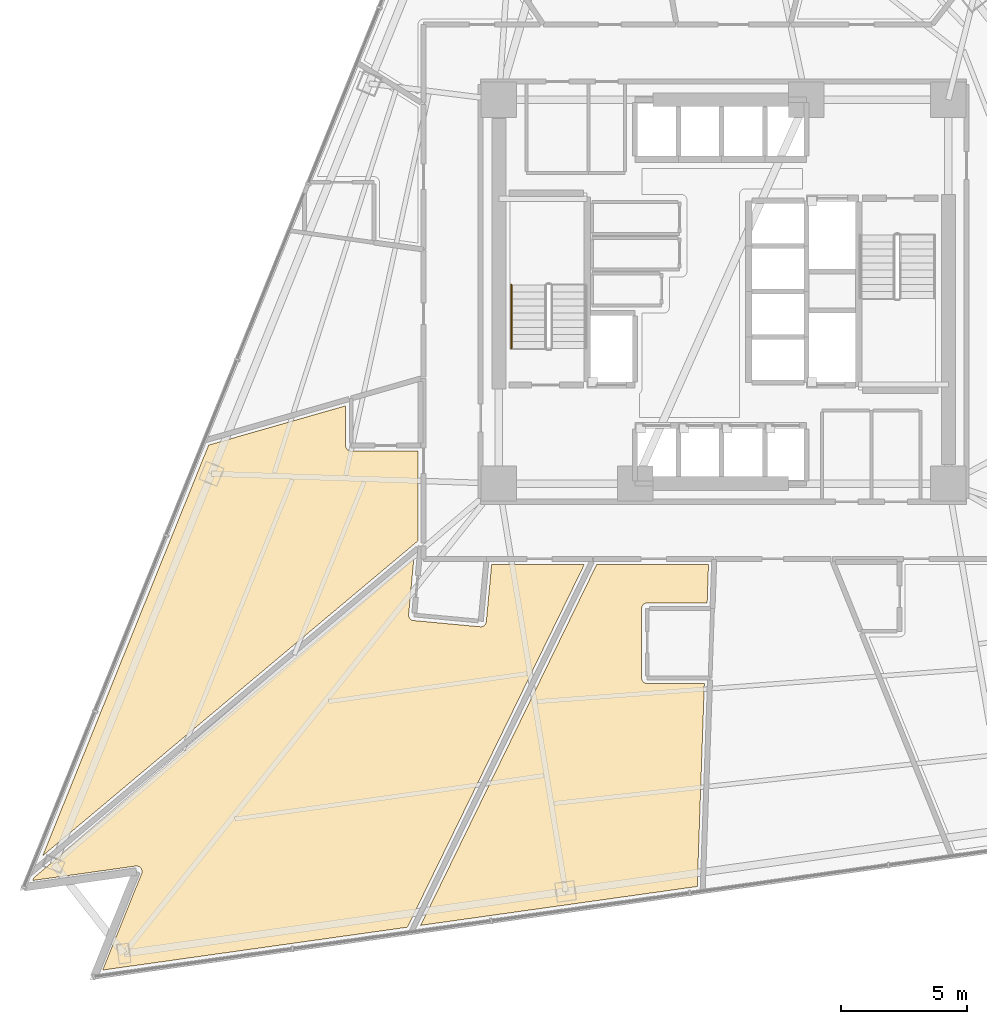
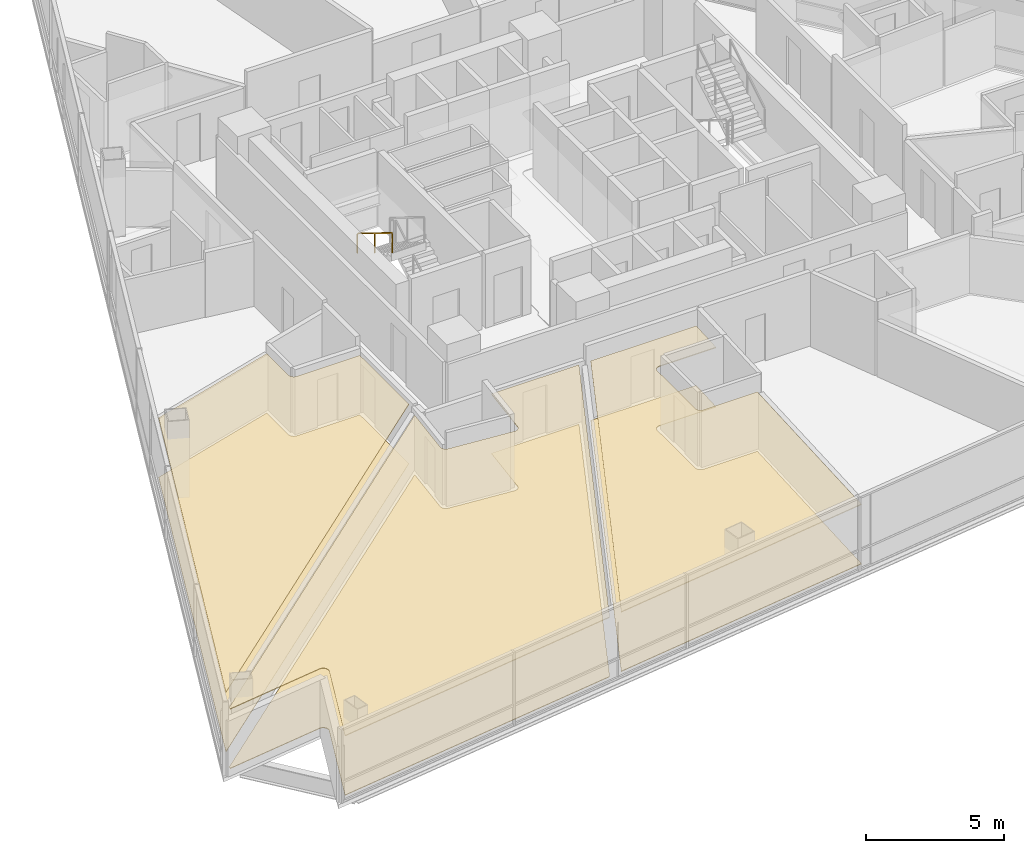
# One storey, part 12 of 16: 6 coverings, 1 railing.
"""IFC4 building model written with IfcOpenShell, lengths in metres."""

from ifc_helpers import new_model, si_unit, direction, frame, origin, origin_2d, place, context, subcontext, project, spatial, polyline, rectangle, outline, extrude, material, layer, layer_set, type_object, element, save


model = new_model("IFC4")

# Units and contexts
model_context = context("Model", 3, precision=1e-05, world=origin(), true_north=direction((0.0, 1.0)))
body_context = subcontext(model_context, "Body", "Model", "MODEL_VIEW")
ifc_project = project(units=[si_unit("LENGTHUNIT", "METRE"), si_unit("AREAUNIT", "SQUARE_METRE"), si_unit("VOLUMEUNIT", "CUBIC_METRE"), si_unit("PLANEANGLEUNIT", "RADIAN"), si_unit("MASSUNIT", "GRAM", prefix="KILO")], contexts=[model_context])

# Site, building, storey
site_placement = place(None, origin())
site = spatial("IfcSite", under=ifc_project, at=site_placement, CompositionType="ELEMENT")
building_placement = place(site_placement, origin())
building = spatial("IfcBuilding", under=site, at=building_placement, Name="Tharavind Bronze Gate", CompositionType="ELEMENT")
storey_placement = place(building_placement, frame((0.0, 0.0, 70.75)))
storey = spatial("IfcBuildingStorey", under=building, at=storey_placement, Name="L17", CompositionType="ELEMENT", Elevation=70.75)

# Coverings
ifc_material_1 = material(Name="Engineered Oak & Carpet Tile", Category="wood")
ifc_layer_1 = layer(ifc_material_1, 0.02490234375)
ifc_layer_set_1 = layer_set([ifc_layer_1], Name="Engineered Oak & Carpet Tile")
covering_type_1 = type_object("IfcCoveringType", Name="ENGINEERED TIMBER FLOORING", PredefinedType="FLOORING", material=ifc_layer_set_1)
covering_1_placement = place(storey_placement, origin())
element("IfcCovering", 1, at=covering_1_placement, inside=storey, type_object=covering_type_1, Name="L17-RM-08 floor finish", PredefinedType="FLOORING", context=body_context, shape_type="SweptSolid", body=[
    extrude(outline(polyline([(-12.10009765625, -9.865966796875), (-12.10009765625, -6.310791015625), (-14.75, -6.310791015625), (-14.771484375, -6.309814453125), (-14.79296875, -6.306640625), (-14.81396484375, -6.301513671875), (-14.834228515625, -6.294189453125), (-14.853759765625, -6.284912109375), (-14.872314453125, -6.27392578125), (-14.8896484375, -6.260986328125), (-14.905517578125, -6.24658203125), (-14.920166015625, -6.23046875), (-14.932861328125, -6.213134765625), (-14.944091796875, -6.194580078125), (-14.953369140625, -6.175048828125), (-14.96044921875, -6.15478515625), (-14.9658203125, -6.1337890625), (-14.968994140625, -6.112548828125), (-14.969970703125, -6.0908203125), (-14.969970703125, -4.521484375), (-20.39306640625, -6.076416015625), (-26.962890625, -22.33740234375), (-12.10009765625, -9.865966796875)])), origin(), (0.0, 0.0, 1.0), 0.02490234375),
])
covering_2_placement = place(storey_placement, origin())
element("IfcCovering", 2, at=covering_2_placement, inside=storey, type_object=covering_type_1, Name="L17-RM-09 floor finish", PredefinedType="FLOORING", context=body_context, shape_type="SweptSolid", body=[
    extrude(outline(polyline([(-23.281982421875, -22.747802734375), (-23.271240234375, -22.74658203125), (-23.270751953125, -22.74658203125), (-23.248779296875, -22.74560546875), (-23.226806640625, -22.7470703125), (-23.205078125, -22.75048828125), (-23.18408203125, -22.756103515625), (-23.16357421875, -22.763916015625), (-23.143798828125, -22.7734375), (-23.125244140625, -22.78515625), (-23.10791015625, -22.798583984375), (-23.091796875, -22.813720703125), (-23.07763671875, -22.830078125), (-23.06494140625, -22.84814453125), (-23.05419921875, -22.8671875), (-23.04541015625, -22.88720703125), (-23.03857421875, -22.908203125), (-23.033935546875, -22.9296875), (-23.031494140625, -22.951416015625), (-23.031005859375, -22.973388671875), (-23.032958984375, -22.9951171875), (-23.037109375, -23.0166015625), (-23.043212890625, -23.037841796875), (-23.043212890625, -23.038330078125), (-23.047119140625, -23.048583984375), (-24.58984375, -26.866943359375), (-12.521484375, -25.1708984375), (-5.51220703125, -10.800048828125), (-9.185546875, -10.800048828125), (-9.39697265625, -13.0732421875), (-9.400146484375, -13.094482421875), (-9.4052734375, -13.115478515625), (-9.412353515625, -13.135986328125), (-9.42138671875, -13.155517578125), (-9.4326171875, -13.174072265625), (-9.4453125, -13.19140625), (-9.459716796875, -13.20751953125), (-9.4755859375, -13.22216796875), (-9.492919921875, -13.235107421875), (-9.51123046875, -13.246337890625), (-9.53076171875, -13.255615234375), (-9.551025390625, -13.262939453125), (-9.572021484375, -13.268310546875), (-9.593505859375, -13.271484375), (-9.614990234375, -13.272705078125), (-9.636474609375, -13.27197265625), (-12.275146484375, -13.0263671875), (-12.29638671875, -13.0234375), (-12.3173828125, -13.018310546875), (-12.337890625, -13.010986328125), (-12.357421875, -13.001953125), (-12.3759765625, -12.990966796875), (-12.393310546875, -12.978271484375), (-12.409423828125, -12.9638671875), (-12.424072265625, -12.947998046875), (-12.43701171875, -12.9306640625), (-12.4482421875, -12.912109375), (-12.45751953125, -12.892578125), (-12.46484375, -12.872314453125), (-12.47021484375, -12.8515625), (-12.473388671875, -12.830078125), (-12.474609375, -12.80859375), (-12.473876953125, -12.787109375), (-12.2685546875, -10.581787109375), (-27.314208984375, -23.206298828125), (-27.3603515625, -23.321044921875), (-23.281982421875, -22.747802734375)])), origin(), (0.0, 0.0, 1.0), 0.02490234375),
])
covering_3_placement = place(storey_placement, origin())
element("IfcCovering", 3, at=covering_3_placement, inside=storey, type_object=covering_type_1, Name="L17-RM-10 floor finish", PredefinedType="FLOORING", context=body_context, shape_type="SweptSolid", body=[
    extrude(outline(polyline([(-1.042724609375, -23.5576171875), (-0.76220703125, -15.52001953125), (-3.023681640625, -15.52001953125), (-3.045166015625, -15.518798828125), (-3.066650390625, -15.515869140625), (-3.08740234375, -15.510498046875), (-3.10791015625, -15.50341796875), (-3.12744140625, -15.493896484375), (-3.14599609375, -15.48291015625), (-3.1630859375, -15.47021484375), (-3.17919921875, -15.45556640625), (-3.193603515625, -15.439697265625), (-3.20654296875, -15.422119140625), (-3.2177734375, -15.40380859375), (-3.226806640625, -15.38427734375), (-3.234130859375, -15.364013671875), (-3.239501953125, -15.343017578125), (-3.24267578125, -15.321533203125), (-3.24365234375, -15.300048828125), (-3.24365234375, -12.550048828125), (-3.24267578125, -12.5283203125), (-3.239501953125, -12.507080078125), (-3.234130859375, -12.486083984375), (-3.226806640625, -12.4658203125), (-3.2177734375, -12.4462890625), (-3.20654296875, -12.427734375), (-3.193603515625, -12.410400390625), (-3.17919921875, -12.394287109375), (-3.1630859375, -12.3798828125), (-3.14599609375, -12.3671875), (-3.12744140625, -12.35595703125), (-3.10791015625, -12.3466796875), (-3.08740234375, -12.339599609375), (-3.066650390625, -12.334228515625), (-3.045166015625, -12.3310546875), (-3.023681640625, -12.330078125), (-0.650634765625, -12.330078125), (-0.597412109375, -10.800048828125), (-5.022705078125, -10.800048828125), (-11.995849609375, -25.096923828125), (-1.042724609375, -23.5576171875)])), origin(), (0.0, 0.0, 1.0), 0.02490234375),
])
ifc_material_2 = material(Name="Acoustic Gypsum Board", Category="gypsum")
ifc_layer_2 = layer(ifc_material_2, 0.030029296875)
ifc_layer_set_2 = layer_set([ifc_layer_2], Name="Acoustic Gypsum Board")
covering_type_2 = type_object("IfcCoveringType", Name="GYPSUM SUSPENDED CEILING", PredefinedType="CEILING", material=ifc_layer_set_2)
covering_4_placement = place(storey_placement, frame((0.0, 0.0, 2.625)))
element("IfcCovering", 4, at=covering_4_placement, inside=storey, type_object=covering_type_2, Name="L17-RM-08 suspended ceiling", PredefinedType="CEILING", context=body_context, shape_type="SweptSolid", body=[
    extrude(outline(polyline([(-12.10009765625, -9.865966796875), (-12.10009765625, -6.310791015625), (-14.75, -6.310791015625), (-14.771484375, -6.309814453125), (-14.79296875, -6.306640625), (-14.81396484375, -6.301513671875), (-14.834228515625, -6.294189453125), (-14.853759765625, -6.284912109375), (-14.872314453125, -6.27392578125), (-14.8896484375, -6.260986328125), (-14.905517578125, -6.24658203125), (-14.920166015625, -6.23046875), (-14.932861328125, -6.213134765625), (-14.944091796875, -6.194580078125), (-14.953369140625, -6.175048828125), (-14.96044921875, -6.15478515625), (-14.9658203125, -6.1337890625), (-14.968994140625, -6.112548828125), (-14.969970703125, -6.0908203125), (-14.969970703125, -4.521484375), (-20.39306640625, -6.076416015625), (-26.962890625, -22.33740234375), (-12.10009765625, -9.865966796875)])), origin(), (0.0, 0.0, 1.0), 0.034912109375),
])
covering_5_placement = place(storey_placement, frame((0.0, 0.0, 2.625)))
element("IfcCovering", 5, at=covering_5_placement, inside=storey, type_object=covering_type_2, Name="L17-RM-09 suspended ceiling", PredefinedType="CEILING", context=body_context, shape_type="SweptSolid", body=[
    extrude(outline(polyline([(-23.281982421875, -22.747802734375), (-23.271240234375, -22.74658203125), (-23.270751953125, -22.74658203125), (-23.248779296875, -22.74560546875), (-23.226806640625, -22.7470703125), (-23.205078125, -22.75048828125), (-23.18408203125, -22.756103515625), (-23.16357421875, -22.763916015625), (-23.143798828125, -22.7734375), (-23.125244140625, -22.78515625), (-23.10791015625, -22.798583984375), (-23.091796875, -22.813720703125), (-23.07763671875, -22.830078125), (-23.06494140625, -22.84814453125), (-23.05419921875, -22.8671875), (-23.04541015625, -22.88720703125), (-23.03857421875, -22.908203125), (-23.033935546875, -22.9296875), (-23.031494140625, -22.951416015625), (-23.031005859375, -22.973388671875), (-23.032958984375, -22.9951171875), (-23.037109375, -23.0166015625), (-23.043212890625, -23.037841796875), (-23.043212890625, -23.038330078125), (-23.047119140625, -23.048583984375), (-24.58984375, -26.866943359375), (-12.521484375, -25.1708984375), (-5.51220703125, -10.800048828125), (-9.185546875, -10.800048828125), (-9.39697265625, -13.0732421875), (-9.400146484375, -13.094482421875), (-9.4052734375, -13.115478515625), (-9.412353515625, -13.135986328125), (-9.42138671875, -13.155517578125), (-9.4326171875, -13.174072265625), (-9.4453125, -13.19140625), (-9.459716796875, -13.20751953125), (-9.4755859375, -13.22216796875), (-9.492919921875, -13.235107421875), (-9.51123046875, -13.246337890625), (-9.53076171875, -13.255615234375), (-9.551025390625, -13.262939453125), (-9.572021484375, -13.268310546875), (-9.593505859375, -13.271484375), (-9.614990234375, -13.272705078125), (-9.636474609375, -13.27197265625), (-12.275146484375, -13.0263671875), (-12.29638671875, -13.0234375), (-12.3173828125, -13.018310546875), (-12.337890625, -13.010986328125), (-12.357421875, -13.001953125), (-12.3759765625, -12.990966796875), (-12.393310546875, -12.978271484375), (-12.409423828125, -12.9638671875), (-12.424072265625, -12.947998046875), (-12.43701171875, -12.9306640625), (-12.4482421875, -12.912109375), (-12.45751953125, -12.892578125), (-12.46484375, -12.872314453125), (-12.47021484375, -12.8515625), (-12.473388671875, -12.830078125), (-12.474609375, -12.80859375), (-12.473876953125, -12.787109375), (-12.2685546875, -10.581787109375), (-27.314208984375, -23.206298828125), (-27.3603515625, -23.321044921875), (-23.281982421875, -22.747802734375)])), origin(), (0.0, 0.0, 1.0), 0.034912109375),
])
covering_6_placement = place(storey_placement, frame((0.0, 0.0, 2.625)))
element("IfcCovering", 6, at=covering_6_placement, inside=storey, type_object=covering_type_2, Name="L17-RM-10 suspended ceiling", PredefinedType="CEILING", context=body_context, shape_type="SweptSolid", body=[
    extrude(outline(polyline([(-1.042724609375, -23.5576171875), (-0.76220703125, -15.52001953125), (-3.023681640625, -15.52001953125), (-3.045166015625, -15.518798828125), (-3.066650390625, -15.515869140625), (-3.08740234375, -15.510498046875), (-3.10791015625, -15.50341796875), (-3.12744140625, -15.493896484375), (-3.14599609375, -15.48291015625), (-3.1630859375, -15.47021484375), (-3.17919921875, -15.45556640625), (-3.193603515625, -15.439697265625), (-3.20654296875, -15.422119140625), (-3.2177734375, -15.40380859375), (-3.226806640625, -15.38427734375), (-3.234130859375, -15.364013671875), (-3.239501953125, -15.343017578125), (-3.24267578125, -15.321533203125), (-3.24365234375, -15.300048828125), (-3.24365234375, -12.550048828125), (-3.24267578125, -12.5283203125), (-3.239501953125, -12.507080078125), (-3.234130859375, -12.486083984375), (-3.226806640625, -12.4658203125), (-3.2177734375, -12.4462890625), (-3.20654296875, -12.427734375), (-3.193603515625, -12.410400390625), (-3.17919921875, -12.394287109375), (-3.1630859375, -12.3798828125), (-3.14599609375, -12.3671875), (-3.12744140625, -12.35595703125), (-3.10791015625, -12.3466796875), (-3.08740234375, -12.339599609375), (-3.066650390625, -12.334228515625), (-3.045166015625, -12.3310546875), (-3.023681640625, -12.330078125), (-0.650634765625, -12.330078125), (-0.597412109375, -10.800048828125), (-5.022705078125, -10.800048828125), (-11.995849609375, -25.096923828125), (-1.042724609375, -23.5576171875)])), origin(), (0.0, 0.0, 1.0), 0.034912109375),
])

# Railing
ifc_material_3 = material(Name="Brushed Bronze Alloy", Category="metal")
railing_type = type_object("IfcRailingType", Name="STAIR BRONZE HANDRAIL 900", PredefinedType="HANDRAIL", material=ifc_material_3)
railing_placement = place(storey_placement, frame((-8.39990234375, 0.27001953125, 1.8974609375)))
element("IfcRailing", 7, at=railing_placement, inside=storey, type_object=railing_type, Name="L17 ST1 stair handrail 2", PredefinedType="HANDRAIL", context=body_context, shape_type="SweptSolid", body=[
    extrude(rectangle(XDim=0.048095703125, YDim=0.048095703125, at=origin_2d()), frame((0.0, -0.02734375, 0.892578125), z_axis=(0.0, -0.851400495292, 0.524516154772), x_axis=(1.0, 0.0, 0.0)), (0.0, 0.0, 1.0), 2.895751953125),
    extrude(rectangle(XDim=0.0400390625, YDim=0.0400390625, at=origin_2d()), origin(), (0.0, 0.0, 1.0), 0.847900390625),
    extrude(rectangle(XDim=0.0400390625, YDim=0.0400390625, at=origin_2d()), frame((0.0, -1.260009765625, 0.7763671875)), (0.0, 0.0, 1.0), 0.847900390625),
    extrude(rectangle(XDim=0.0400390625, YDim=0.0400390625, at=origin_2d()), frame((0.0, -2.52001953125, 1.552490234375)), (0.0, 0.0, 1.0), 0.847900390625),
])

save(model, "model.ifc")
